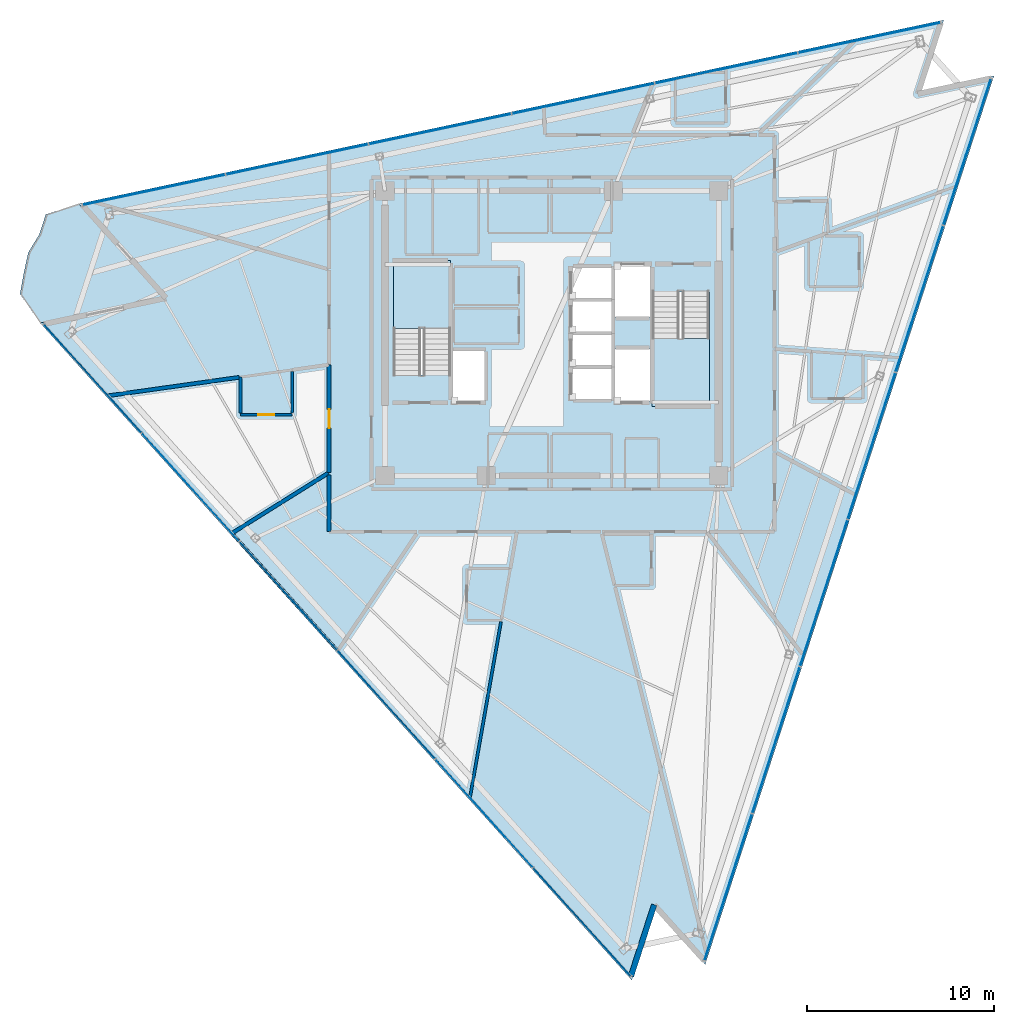
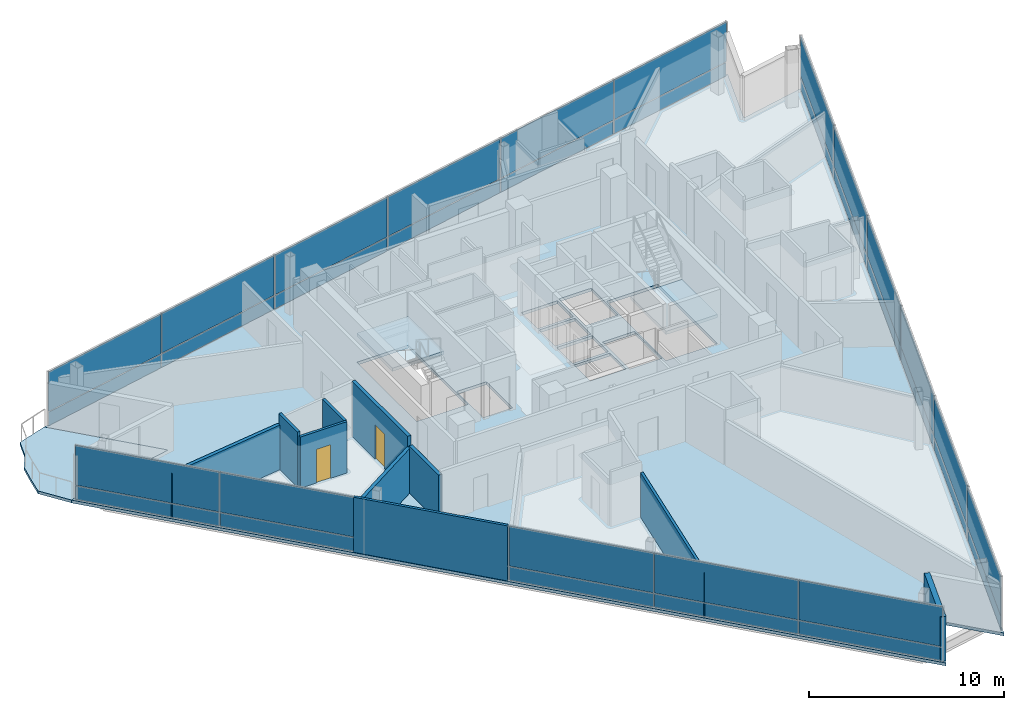
# One storey, part 9 of 17: 36 plates, 10 walls, 4 slabs, 2 doors, 2 openings, 5 elements without a shape of their own.
"""IFC4 building model written with IfcOpenShell, lengths in metres."""

from ifc_helpers import new_model, si_unit, direction, frame, frame_2d, origin, origin_2d, place, context, subcontext, project, spatial, polyline, rectangle, outline, extrude, material, layer, layer_set, type_object, element, fill, aggregate, save


model = new_model("IFC4")

# Units and contexts
model_context = context("Model", 3, precision=1e-05, world=origin(), true_north=direction((0.0, 1.0)))
body_context = subcontext(model_context, "Body", "Model", "MODEL_VIEW")
ifc_project = project(units=[si_unit("LENGTHUNIT", "METRE"), si_unit("AREAUNIT", "SQUARE_METRE"), si_unit("VOLUMEUNIT", "CUBIC_METRE"), si_unit("PLANEANGLEUNIT", "RADIAN"), si_unit("MASSUNIT", "GRAM", prefix="KILO")], contexts=[model_context])

# Site, building, storey
site_placement = place(None, origin())
site = spatial("IfcSite", under=ifc_project, at=site_placement, CompositionType="ELEMENT")
building_placement = place(site_placement, origin())
building = spatial("IfcBuilding", under=site, at=building_placement, Name="Tharavind Bronze Gate", CompositionType="ELEMENT")
storey_placement = place(building_placement, frame((0.0, 0.0, 294.35009765625)))
storey = spatial("IfcBuildingStorey", under=building, at=storey_placement, Name="L76", CompositionType="ELEMENT", Elevation=294.35009765625)

# Curtain wall, plates
ifc_material_1 = material(Name="Anodised Bronze Aluminium", Category="aluminium")
ifc_layer_1 = layer(ifc_material_1, 0.219970703125)
ifc_layer_set_1 = layer_set([ifc_layer_1], Name="Anodised Bronze Aluminium")
curtain_wall_type = type_object("IfcCurtainWallType", Name="UNITISED CURTAIN WALL CROWN", PredefinedType="USERDEFINED", material=ifc_layer_set_1)
curtain_wall_1_placement = place(storey_placement, origin())
curtain_wall_1 = element("IfcCurtainWall", 1, at=curtain_wall_1_placement, inside=storey, type_object=curtain_wall_type, Name="L76 unitised curtain wall crown CW-L76-S1", ObjectType="UNITISED CURTAIN WALL", PredefinedType="USERDEFINED")
ifc_material_2 = material(Name="Patinated Bronze Alloy Sheet", Category="bronze")
ifc_layer_2 = layer(ifc_material_2, 0.01611328125)
ifc_layer_set_2 = layer_set([ifc_layer_2], Name="Patinated Bronze Alloy Sheet")
plate_type_1 = type_object("IfcPlateType", Name="BRONZE SPANDREL CLADDING PANEL 16", PredefinedType="CURTAIN_PANEL", material=ifc_layer_set_2)
plate_1_placement = place(storey_placement, frame((-24.494873046875, -2.404052734375, 0.0263671875), z_axis=(0.0, 0.0, 1.0), x_axis=(0.669130606359, -0.743144825477, 0.0)))
plate_1 = element("IfcPlate", 2, at=plate_1_placement, type_object=plate_type_1, Name="CW-L76-S1 bronze spandrel panel 1", PredefinedType="CURTAIN_PANEL", context=body_context, shape_type="SweptSolid", body=[
    extrude(rectangle(XDim=7.749755859375, YDim=0.01611328125, at=origin_2d()), origin(), (0.0, 0.0, 1.0), 0.846923828125),
])
plate_2_placement = place(storey_placement, frame((-19.273681640625, -8.20263671875, 0.0263671875), z_axis=(0.0, 0.0, 1.0), x_axis=(0.669130606359, -0.743144825477, 0.0)))
plate_2 = element("IfcPlate", 3, at=plate_2_placement, type_object=plate_type_1, Name="CW-L76-S1 bronze spandrel panel 2", PredefinedType="CURTAIN_PANEL", context=body_context, shape_type="SweptSolid", body=[
    extrude(rectangle(XDim=7.749755859375, YDim=0.01611328125, at=origin_2d()), origin(), (0.0, 0.0, 1.0), 0.846923828125),
])
plate_3_placement = place(storey_placement, frame((-14.052734375, -14.001220703125, 0.0263671875), z_axis=(0.0, 0.0, 1.0), x_axis=(0.669130606359, -0.743144825477, 0.0)))
plate_3 = element("IfcPlate", 4, at=plate_3_placement, type_object=plate_type_1, Name="CW-L76-S1 bronze spandrel panel 3", PredefinedType="CURTAIN_PANEL", context=body_context, shape_type="SweptSolid", body=[
    extrude(rectangle(XDim=7.749755859375, YDim=0.01611328125, at=origin_2d()), origin(), (0.0, 0.0, 1.0), 0.846923828125),
])
plate_4_placement = place(storey_placement, frame((-8.831787109375, -19.7998046875, 0.0263671875), z_axis=(0.0, 0.0, 1.0), x_axis=(0.669130606359, -0.743144825477, 0.0)))
plate_4 = element("IfcPlate", 5, at=plate_4_placement, type_object=plate_type_1, Name="CW-L76-S1 bronze spandrel panel 4", PredefinedType="CURTAIN_PANEL", context=body_context, shape_type="SweptSolid", body=[
    extrude(rectangle(XDim=7.749755859375, YDim=0.01611328125, at=origin_2d()), origin(), (0.0, 0.0, 1.0), 0.846923828125),
])
plate_5_placement = place(storey_placement, frame((-3.610595703125, -25.59814453125, 0.0263671875), z_axis=(0.0, 0.0, 1.0), x_axis=(0.669130606359, -0.743144825477, 0.0)))
plate_5 = element("IfcPlate", 6, at=plate_5_placement, type_object=plate_type_1, Name="CW-L76-S1 bronze spandrel panel 5", PredefinedType="CURTAIN_PANEL", context=body_context, shape_type="SweptSolid", body=[
    extrude(rectangle(XDim=7.749755859375, YDim=0.01611328125, at=origin_2d()), origin(), (0.0, 0.0, 1.0), 0.846923828125),
])
plate_6_placement = place(storey_placement, frame((1.6103515625, -31.396728515625, 0.0263671875), z_axis=(0.0, 0.0, 1.0), x_axis=(0.669130606359, -0.743144825477, 0.0)))
plate_6 = element("IfcPlate", 7, at=plate_6_placement, type_object=plate_type_1, Name="CW-L76-S1 bronze spandrel panel 6", PredefinedType="CURTAIN_PANEL", context=body_context, shape_type="SweptSolid", body=[
    extrude(rectangle(XDim=7.749755859375, YDim=0.01611328125, at=origin_2d()), origin(), (0.0, 0.0, 1.0), 0.846923828125),
])

curtain_wall_2_placement = place(storey_placement, origin())
curtain_wall_2 = element("IfcCurtainWall", 8, at=curtain_wall_2_placement, inside=storey, type_object=curtain_wall_type, Name="L76 unitised curtain wall crown CW-L76-S2", ObjectType="UNITISED CURTAIN WALL", PredefinedType="USERDEFINED")
plate_7_placement = place(storey_placement, frame((9.41552734375, -29.54052734375, 0.0263671875), z_axis=(0.0, 0.0, 1.0), x_axis=(0.309016994375, 0.951056516295, 0.0)))
plate_7 = element("IfcPlate", 9, at=plate_7_placement, type_object=plate_type_1, Name="CW-L76-S2 bronze spandrel panel 1", PredefinedType="CURTAIN_PANEL", context=body_context, shape_type="SweptSolid", body=[
    extrude(rectangle(XDim=8.195068359375, YDim=0.01611328125, at=origin_2d()), origin(), (0.0, 0.0, 1.0), 0.846923828125),
])
plate_8_placement = place(storey_placement, frame((11.96435546875, -21.6962890625, 0.0263671875), z_axis=(0.0, 0.0, 1.0), x_axis=(0.309016994375, 0.951056516295, 0.0)))
plate_8 = element("IfcPlate", 10, at=plate_8_placement, type_object=plate_type_1, Name="CW-L76-S2 bronze spandrel panel 2", PredefinedType="CURTAIN_PANEL", context=body_context, shape_type="SweptSolid", body=[
    extrude(rectangle(XDim=8.195068359375, YDim=0.01611328125, at=origin_2d()), origin(), (0.0, 0.0, 1.0), 0.846923828125),
])
plate_9_placement = place(storey_placement, frame((14.51318359375, -13.851806640625, 0.0263671875), z_axis=(0.0, 0.0, 1.0), x_axis=(0.309016994375, 0.951056516295, 0.0)))
plate_9 = element("IfcPlate", 11, at=plate_9_placement, type_object=plate_type_1, Name="CW-L76-S2 bronze spandrel panel 3", PredefinedType="CURTAIN_PANEL", context=body_context, shape_type="SweptSolid", body=[
    extrude(rectangle(XDim=8.195068359375, YDim=0.01611328125, at=origin_2d()), origin(), (0.0, 0.0, 1.0), 0.846923828125),
])
plate_10_placement = place(storey_placement, frame((17.06201171875, -6.007568359375, 0.0263671875), z_axis=(0.0, 0.0, 1.0), x_axis=(0.309016994375, 0.951056516295, 0.0)))
plate_10 = element("IfcPlate", 12, at=plate_10_placement, type_object=plate_type_1, Name="CW-L76-S2 bronze spandrel panel 4", PredefinedType="CURTAIN_PANEL", context=body_context, shape_type="SweptSolid", body=[
    extrude(rectangle(XDim=8.195068359375, YDim=0.01611328125, at=origin_2d()), origin(), (0.0, 0.0, 1.0), 0.846923828125),
])
plate_11_placement = place(storey_placement, frame((19.610595703125, 1.8369140625, 0.0263671875), z_axis=(0.0, 0.0, 1.0), x_axis=(0.309016994375, 0.951056516295, 0.0)))
plate_11 = element("IfcPlate", 13, at=plate_11_placement, type_object=plate_type_1, Name="CW-L76-S2 bronze spandrel panel 5", PredefinedType="CURTAIN_PANEL", context=body_context, shape_type="SweptSolid", body=[
    extrude(rectangle(XDim=8.195068359375, YDim=0.01611328125, at=origin_2d()), origin(), (0.0, 0.0, 1.0), 0.846923828125),
])
plate_12_placement = place(storey_placement, frame((22.159423828125, 9.68115234375, 0.0263671875), z_axis=(0.0, 0.0, 1.0), x_axis=(0.309016994375, 0.951056516295, 0.0)))
plate_12 = element("IfcPlate", 14, at=plate_12_placement, type_object=plate_type_1, Name="CW-L76-S2 bronze spandrel panel 6", PredefinedType="CURTAIN_PANEL", context=body_context, shape_type="SweptSolid", body=[
    extrude(rectangle(XDim=8.195068359375, YDim=0.01611328125, at=origin_2d()), origin(), (0.0, 0.0, 1.0), 0.846923828125),
])

curtain_wall_3_placement = place(storey_placement, origin())
curtain_wall_3 = element("IfcCurtainWall", 15, at=curtain_wall_3_placement, inside=storey, type_object=curtain_wall_type, Name="L76 unitised curtain wall crown CW-L76-S3", ObjectType="UNITISED CURTAIN WALL", PredefinedType="USERDEFINED")
plate_13_placement = place(storey_placement, frame((16.935791015625, 15.770751953125, 0.0263671875), z_axis=(0.0, 0.0, 1.0), x_axis=(-0.978147237858, -0.207913398007, 0.0)))
plate_13 = element("IfcPlate", 16, at=plate_13_placement, type_object=plate_type_1, Name="CW-L76-S3 bronze spandrel panel 1", PredefinedType="CURTAIN_PANEL", context=body_context, shape_type="SweptSolid", body=[
    extrude(rectangle(XDim=7.749755859375, YDim=0.01611328125, at=origin_2d()), origin(), (0.0, 0.0, 1.0), 0.846923828125),
])
plate_14_placement = place(storey_placement, frame((9.3037109375, 14.1484375, 0.0263671875), z_axis=(0.0, 0.0, 1.0), x_axis=(-0.978147237858, -0.207913398007, 0.0)))
plate_14 = element("IfcPlate", 17, at=plate_14_placement, type_object=plate_type_1, Name="CW-L76-S3 bronze spandrel panel 2", PredefinedType="CURTAIN_PANEL", context=body_context, shape_type="SweptSolid", body=[
    extrude(rectangle(XDim=7.749755859375, YDim=0.01611328125, at=origin_2d()), origin(), (0.0, 0.0, 1.0), 0.846923828125),
])
plate_15_placement = place(storey_placement, frame((1.67138671875, 12.526123046875, 0.0263671875), z_axis=(0.0, 0.0, 1.0), x_axis=(-0.978147237858, -0.207913398007, 0.0)))
plate_15 = element("IfcPlate", 18, at=plate_15_placement, type_object=plate_type_1, Name="CW-L76-S3 bronze spandrel panel 3", PredefinedType="CURTAIN_PANEL", context=body_context, shape_type="SweptSolid", body=[
    extrude(rectangle(XDim=7.749755859375, YDim=0.01611328125, at=origin_2d()), origin(), (0.0, 0.0, 1.0), 0.846923828125),
])
plate_16_placement = place(storey_placement, frame((-5.960693359375, 10.90380859375, 0.0263671875), z_axis=(0.0, 0.0, 1.0), x_axis=(-0.978147237858, -0.207913398007, 0.0)))
plate_16 = element("IfcPlate", 19, at=plate_16_placement, type_object=plate_type_1, Name="CW-L76-S3 bronze spandrel panel 4", PredefinedType="CURTAIN_PANEL", context=body_context, shape_type="SweptSolid", body=[
    extrude(rectangle(XDim=7.749755859375, YDim=0.01611328125, at=origin_2d()), origin(), (0.0, 0.0, 1.0), 0.846923828125),
])
plate_17_placement = place(storey_placement, frame((-13.5927734375, 9.281494140625, 0.0263671875), z_axis=(0.0, 0.0, 1.0), x_axis=(-0.978147237858, -0.207913398007, 0.0)))
plate_17 = element("IfcPlate", 20, at=plate_17_placement, type_object=plate_type_1, Name="CW-L76-S3 bronze spandrel panel 5", PredefinedType="CURTAIN_PANEL", context=body_context, shape_type="SweptSolid", body=[
    extrude(rectangle(XDim=7.749755859375, YDim=0.01611328125, at=origin_2d()), origin(), (0.0, 0.0, 1.0), 0.846923828125),
])
plate_18_placement = place(storey_placement, frame((-21.22509765625, 7.6591796875, 0.0263671875), z_axis=(0.0, 0.0, 1.0), x_axis=(-0.978147237858, -0.207913398007, 0.0)))
plate_18 = element("IfcPlate", 21, at=plate_18_placement, type_object=plate_type_1, Name="CW-L76-S3 bronze spandrel panel 6", PredefinedType="CURTAIN_PANEL", context=body_context, shape_type="SweptSolid", body=[
    extrude(rectangle(XDim=7.749755859375, YDim=0.01611328125, at=origin_2d()), origin(), (0.0, 0.0, 1.0), 0.846923828125),
])

# Slab
ifc_material_3 = material(Name="Concrete C40/50", Category="concrete")
ifc_layer_3 = layer(ifc_material_3, 0.175048828125)
ifc_layer_set_3 = layer_set([ifc_layer_3], Name="Concrete C40/50")
slab_type_1 = type_object("IfcSlabType", Name="EXTERIOR BALCONY SLAB 175", PredefinedType="FLOOR", material=ifc_layer_set_3)
slab_1_placement = place(storey_placement, frame((0.0, 0.0, -0.175048828125)))
element("IfcSlab", 22, at=slab_1_placement, inside=storey, type_object=slab_type_1, Name="L76 northeast tree balcony slab", PredefinedType="FLOOR", context=body_context, shape_type="SweptSolid", body=[
    extrude(outline(polyline([(-26.992431640625, 6.34375), (-27.33642578125, 5.284912109375), (-27.927978515625, 4.306396484375), (-28.1650390625, 3.212890625), (-28.36865234375, 2.1083984375), (-27.29541015625, 0.556884765625), (-20.761474609375, 1.94580078125), (-25.231201171875, 6.909912109375), (-26.992431640625, 6.34375)])), origin(), (0.0, 0.0, 1.0), 0.175048828125),
])

# Stair, slab
stair_type = type_object("IfcStairType", Name="CORE HALF TURN STAIR 1450", PredefinedType="HALF_TURN_STAIR", material=ifc_material_3)
stair_1_placement = place(storey_placement, origin())
stair_1 = element("IfcStair", 23, at=stair_1_placement, inside=storey, type_object=stair_type, Name="L76 Protected Exit Stair ST1", PredefinedType="HALF_TURN_STAIR")
ifc_layer_4 = layer(ifc_material_3, 0.199951171875)
ifc_layer_set_4 = layer_set([ifc_layer_4], Name="Concrete C40/50")
slab_type_2 = type_object("IfcSlabType", Name="STAIR LANDING SLAB 200", PredefinedType="LANDING", material=ifc_layer_set_4)
slab_2_placement = place(storey_placement, frame((0.0, 0.0, 1.625)))
slab_2 = element("IfcSlab", 24, at=slab_2_placement, type_object=slab_type_2, Name="ST1 landing 1", PredefinedType="LANDING", context=body_context, shape_type="SweptSolid", body=[
    extrude(outline(polyline([(-5.39990234375, 0.27001953125), (-5.39990234375, 3.89990234375), (-8.449951171875, 3.89990234375), (-8.449951171875, 0.27001953125), (-5.39990234375, 0.27001953125)])), origin(), (0.0, 0.0, 1.0), 0.199951171875),
])
aggregate(stair_1, [slab_2])

stair_2_placement = place(storey_placement, origin())
stair_2 = element("IfcStair", 25, at=stair_2_placement, inside=storey, type_object=stair_type, Name="L76 Protected Exit Stair ST2", PredefinedType="HALF_TURN_STAIR")
slab_3_placement = place(storey_placement, frame((0.0, 0.0, 1.625)))
slab_3 = element("IfcSlab", 26, at=slab_3_placement, type_object=slab_type_2, Name="ST2 landing 1", PredefinedType="LANDING", context=body_context, shape_type="SweptSolid", body=[
    extrude(outline(polyline([(5.35009765625, -0.27001953125), (5.35009765625, -3.89990234375), (8.39990234375, -3.89990234375), (8.39990234375, -0.27001953125), (5.35009765625, -0.27001953125)])), origin(), (0.0, 0.0, 1.0), 0.199951171875),
])
aggregate(stair_2, [slab_3])

# Slab
ifc_layer_5 = layer(ifc_material_3, 0.18505859375)
ifc_layer_set_5 = layer_set([ifc_layer_5], Name="Concrete C40/50")
slab_type_3 = type_object("IfcSlabType", Name="STRUCTURAL FLOOR SLAB 185", PredefinedType="FLOOR", material=ifc_layer_set_5)
slab_4_placement = place(storey_placement, frame((0.0, 0.0, -0.18505859375)))
element("IfcSlab", 27, at=slab_4_placement, inside=storey, type_object=slab_type_3, Name="L76 main structural floor slab", PredefinedType="FLOOR", context=body_context, shape_type="SweptSolid", body=[
    extrude(outline(polyline([(-25.231201171875, 6.909912109375), (-20.761474609375, 1.94580078125), (-27.29541015625, 0.556884765625), (4.262451171875, -34.49169921875), (5.5009765625, -30.6796875), (8.182861328125, -33.658203125), (23.58251953125, 13.737060546875), (19.662109375, 12.90380859375), (20.900634765625, 16.7158203125), (-25.231201171875, 6.909912109375)]), holes=[polyline([(-5.39990234375, -2.215087890625), (-5.39990234375, 3.89990234375), (-8.449951171875, 3.89990234375), (-8.449951171875, -2.215087890625), (-5.39990234375, -2.215087890625)]), polyline([(5.35009765625, 2.215087890625), (5.35009765625, -3.89990234375), (8.39990234375, -3.89990234375), (8.39990234375, 2.215087890625), (5.35009765625, 2.215087890625)]), polyline([(1.080078125, -3.52001953125), (3.199951171875, -3.52001953125), (3.199951171875, -1.8798828125), (1.080078125, -1.8798828125), (1.080078125, -3.52001953125)]), polyline([(1.080078125, -1.719970703125), (3.199951171875, -1.719970703125), (3.199951171875, -0.080078125), (1.080078125, -0.080078125), (1.080078125, -1.719970703125)]), polyline([(1.080078125, 0.080078125), (3.199951171875, 0.080078125), (3.199951171875, 1.719970703125), (1.080078125, 1.719970703125), (1.080078125, 0.080078125)]), polyline([(1.080078125, 1.8798828125), (3.199951171875, 1.8798828125), (3.199951171875, 3.52001953125), (1.080078125, 3.52001953125), (1.080078125, 1.8798828125)]), polyline([(-5.320068359375, -3.6201171875), (-3.580078125, -3.6201171875), (-3.580078125, -0.929931640625), (-5.320068359375, -0.929931640625), (-5.320068359375, -3.6201171875)]), polyline([(3.360107421875, 0.8798828125), (5.27001953125, 0.8798828125), (5.27001953125, 3.6201171875), (3.360107421875, 3.6201171875), (3.360107421875, 0.8798828125)]), polyline([(3.360107421875, -3.6201171875), (5.27001953125, -3.6201171875), (5.27001953125, -0.830078125), (3.360107421875, -0.830078125), (3.360107421875, -3.6201171875)])]), origin(), (0.0, 0.0, 1.0), 0.18505859375),
])

# Plate
ifc_material_4 = material(Name="Triple Solar Control Glazing", Category="glass")
ifc_layer_6 = layer(ifc_material_4, 0.0439453125)
ifc_layer_set_6 = layer_set([ifc_layer_6], Name="Triple Solar Control Glazing")
plate_type_2 = type_object("IfcPlateType", Name="TRIPLE GLAZED FACADE PANEL 44", PredefinedType="CURTAIN_PANEL", material=ifc_layer_set_6)
plate_19_placement = place(storey_placement, frame((-24.494873046875, -2.404052734375, 0.92626953125), z_axis=(0.0, 0.0, 1.0), x_axis=(0.669130606359, -0.743144825477, 0.0)))
plate_19 = element("IfcPlate", 28, at=plate_19_placement, type_object=plate_type_2, Name="CW-L76-S1 vision glazing panel 1", PredefinedType="CURTAIN_PANEL", context=body_context, shape_type="SweptSolid", body=[
    extrude(rectangle(XDim=7.749755859375, YDim=0.0439453125, at=origin_2d()), origin(), (0.0, 0.0, 1.0), 2.4970703125),
])

plate_20_placement = place(storey_placement, frame((-19.273681640625, -8.20263671875, 0.92626953125), z_axis=(0.0, 0.0, 1.0), x_axis=(0.669130606359, -0.743144825477, 0.0)))
plate_20 = element("IfcPlate", 29, at=plate_20_placement, type_object=plate_type_2, Name="CW-L76-S1 vision glazing panel 2", PredefinedType="CURTAIN_PANEL", context=body_context, shape_type="SweptSolid", body=[
    extrude(rectangle(XDim=7.749755859375, YDim=0.0439453125, at=origin_2d()), origin(), (0.0, 0.0, 1.0), 2.4970703125),
])

plate_21_placement = place(storey_placement, frame((-14.052734375, -14.001220703125, 0.92626953125), z_axis=(0.0, 0.0, 1.0), x_axis=(0.669130606359, -0.743144825477, 0.0)))
plate_21 = element("IfcPlate", 30, at=plate_21_placement, type_object=plate_type_2, Name="CW-L76-S1 vision glazing panel 3", PredefinedType="CURTAIN_PANEL", context=body_context, shape_type="SweptSolid", body=[
    extrude(rectangle(XDim=7.749755859375, YDim=0.0439453125, at=origin_2d()), origin(), (0.0, 0.0, 1.0), 2.4970703125),
])

plate_22_placement = place(storey_placement, frame((-8.831787109375, -19.7998046875, 0.92626953125), z_axis=(0.0, 0.0, 1.0), x_axis=(0.669130606359, -0.743144825477, 0.0)))
plate_22 = element("IfcPlate", 31, at=plate_22_placement, type_object=plate_type_2, Name="CW-L76-S1 vision glazing panel 4", PredefinedType="CURTAIN_PANEL", context=body_context, shape_type="SweptSolid", body=[
    extrude(rectangle(XDim=7.749755859375, YDim=0.0439453125, at=origin_2d()), origin(), (0.0, 0.0, 1.0), 2.4970703125),
])

plate_23_placement = place(storey_placement, frame((-3.610595703125, -25.59814453125, 0.92626953125), z_axis=(0.0, 0.0, 1.0), x_axis=(0.669130606359, -0.743144825477, 0.0)))
plate_23 = element("IfcPlate", 32, at=plate_23_placement, type_object=plate_type_2, Name="CW-L76-S1 vision glazing panel 5", PredefinedType="CURTAIN_PANEL", context=body_context, shape_type="SweptSolid", body=[
    extrude(rectangle(XDim=7.749755859375, YDim=0.0439453125, at=origin_2d()), origin(), (0.0, 0.0, 1.0), 2.4970703125),
])

plate_24_placement = place(storey_placement, frame((1.6103515625, -31.396728515625, 0.92626953125), z_axis=(0.0, 0.0, 1.0), x_axis=(0.669130606359, -0.743144825477, 0.0)))
plate_24 = element("IfcPlate", 33, at=plate_24_placement, type_object=plate_type_2, Name="CW-L76-S1 vision glazing panel 6", PredefinedType="CURTAIN_PANEL", context=body_context, shape_type="SweptSolid", body=[
    extrude(rectangle(XDim=7.749755859375, YDim=0.0439453125, at=origin_2d()), origin(), (0.0, 0.0, 1.0), 2.4970703125),
])

aggregate(curtain_wall_1, [plate_1, plate_19, plate_2, plate_20, plate_3, plate_21, plate_4, plate_22, plate_5, plate_23, plate_6, plate_24])

plate_25_placement = place(storey_placement, frame((9.41552734375, -29.54052734375, 0.92626953125), z_axis=(0.0, 0.0, 1.0), x_axis=(0.309016994375, 0.951056516295, 0.0)))
plate_25 = element("IfcPlate", 34, at=plate_25_placement, type_object=plate_type_2, Name="CW-L76-S2 vision glazing panel 1", PredefinedType="CURTAIN_PANEL", context=body_context, shape_type="SweptSolid", body=[
    extrude(rectangle(XDim=8.195068359375, YDim=0.0439453125, at=origin_2d()), origin(), (0.0, 0.0, 1.0), 2.4970703125),
])

plate_26_placement = place(storey_placement, frame((11.96435546875, -21.6962890625, 0.92626953125), z_axis=(0.0, 0.0, 1.0), x_axis=(0.309016994375, 0.951056516295, 0.0)))
plate_26 = element("IfcPlate", 35, at=plate_26_placement, type_object=plate_type_2, Name="CW-L76-S2 vision glazing panel 2", PredefinedType="CURTAIN_PANEL", context=body_context, shape_type="SweptSolid", body=[
    extrude(rectangle(XDim=8.195068359375, YDim=0.0439453125, at=origin_2d()), origin(), (0.0, 0.0, 1.0), 2.4970703125),
])

plate_27_placement = place(storey_placement, frame((14.51318359375, -13.851806640625, 0.92626953125), z_axis=(0.0, 0.0, 1.0), x_axis=(0.309016994375, 0.951056516295, 0.0)))
plate_27 = element("IfcPlate", 36, at=plate_27_placement, type_object=plate_type_2, Name="CW-L76-S2 vision glazing panel 3", PredefinedType="CURTAIN_PANEL", context=body_context, shape_type="SweptSolid", body=[
    extrude(rectangle(XDim=8.195068359375, YDim=0.0439453125, at=origin_2d()), origin(), (0.0, 0.0, 1.0), 2.4970703125),
])

plate_28_placement = place(storey_placement, frame((17.06201171875, -6.007568359375, 0.92626953125), z_axis=(0.0, 0.0, 1.0), x_axis=(0.309016994375, 0.951056516295, 0.0)))
plate_28 = element("IfcPlate", 37, at=plate_28_placement, type_object=plate_type_2, Name="CW-L76-S2 vision glazing panel 4", PredefinedType="CURTAIN_PANEL", context=body_context, shape_type="SweptSolid", body=[
    extrude(rectangle(XDim=8.195068359375, YDim=0.0439453125, at=origin_2d()), origin(), (0.0, 0.0, 1.0), 2.4970703125),
])

plate_29_placement = place(storey_placement, frame((19.610595703125, 1.8369140625, 0.92626953125), z_axis=(0.0, 0.0, 1.0), x_axis=(0.309016994375, 0.951056516295, 0.0)))
plate_29 = element("IfcPlate", 38, at=plate_29_placement, type_object=plate_type_2, Name="CW-L76-S2 vision glazing panel 5", PredefinedType="CURTAIN_PANEL", context=body_context, shape_type="SweptSolid", body=[
    extrude(rectangle(XDim=8.195068359375, YDim=0.0439453125, at=origin_2d()), origin(), (0.0, 0.0, 1.0), 2.4970703125),
])

plate_30_placement = place(storey_placement, frame((22.159423828125, 9.68115234375, 0.92626953125), z_axis=(0.0, 0.0, 1.0), x_axis=(0.309016994375, 0.951056516295, 0.0)))
plate_30 = element("IfcPlate", 39, at=plate_30_placement, type_object=plate_type_2, Name="CW-L76-S2 vision glazing panel 6", PredefinedType="CURTAIN_PANEL", context=body_context, shape_type="SweptSolid", body=[
    extrude(rectangle(XDim=8.195068359375, YDim=0.0439453125, at=origin_2d()), origin(), (0.0, 0.0, 1.0), 2.4970703125),
])

aggregate(curtain_wall_2, [plate_7, plate_25, plate_8, plate_26, plate_9, plate_27, plate_10, plate_28, plate_11, plate_29, plate_12, plate_30])

plate_31_placement = place(storey_placement, frame((16.935791015625, 15.770751953125, 0.92626953125), z_axis=(0.0, 0.0, 1.0), x_axis=(-0.978147237858, -0.207913398007, 0.0)))
plate_31 = element("IfcPlate", 40, at=plate_31_placement, type_object=plate_type_2, Name="CW-L76-S3 vision glazing panel 1", PredefinedType="CURTAIN_PANEL", context=body_context, shape_type="SweptSolid", body=[
    extrude(rectangle(XDim=7.749755859375, YDim=0.0439453125, at=origin_2d()), origin(), (0.0, 0.0, 1.0), 2.4970703125),
])

plate_32_placement = place(storey_placement, frame((9.3037109375, 14.1484375, 0.92626953125), z_axis=(0.0, 0.0, 1.0), x_axis=(-0.978147237858, -0.207913398007, 0.0)))
plate_32 = element("IfcPlate", 41, at=plate_32_placement, type_object=plate_type_2, Name="CW-L76-S3 vision glazing panel 2", PredefinedType="CURTAIN_PANEL", context=body_context, shape_type="SweptSolid", body=[
    extrude(rectangle(XDim=7.749755859375, YDim=0.0439453125, at=origin_2d()), origin(), (0.0, 0.0, 1.0), 2.4970703125),
])

plate_33_placement = place(storey_placement, frame((1.67138671875, 12.526123046875, 0.92626953125), z_axis=(0.0, 0.0, 1.0), x_axis=(-0.978147237858, -0.207913398007, 0.0)))
plate_33 = element("IfcPlate", 42, at=plate_33_placement, type_object=plate_type_2, Name="CW-L76-S3 vision glazing panel 3", PredefinedType="CURTAIN_PANEL", context=body_context, shape_type="SweptSolid", body=[
    extrude(rectangle(XDim=7.749755859375, YDim=0.0439453125, at=origin_2d()), origin(), (0.0, 0.0, 1.0), 2.4970703125),
])

plate_34_placement = place(storey_placement, frame((-5.960693359375, 10.90380859375, 0.92626953125), z_axis=(0.0, 0.0, 1.0), x_axis=(-0.978147237858, -0.207913398007, 0.0)))
plate_34 = element("IfcPlate", 43, at=plate_34_placement, type_object=plate_type_2, Name="CW-L76-S3 vision glazing panel 4", PredefinedType="CURTAIN_PANEL", context=body_context, shape_type="SweptSolid", body=[
    extrude(rectangle(XDim=7.749755859375, YDim=0.0439453125, at=origin_2d()), origin(), (0.0, 0.0, 1.0), 2.4970703125),
])

plate_35_placement = place(storey_placement, frame((-13.5927734375, 9.281494140625, 0.92626953125), z_axis=(0.0, 0.0, 1.0), x_axis=(-0.978147237858, -0.207913398007, 0.0)))
plate_35 = element("IfcPlate", 44, at=plate_35_placement, type_object=plate_type_2, Name="CW-L76-S3 vision glazing panel 5", PredefinedType="CURTAIN_PANEL", context=body_context, shape_type="SweptSolid", body=[
    extrude(rectangle(XDim=7.749755859375, YDim=0.0439453125, at=origin_2d()), origin(), (0.0, 0.0, 1.0), 2.4970703125),
])

plate_36_placement = place(storey_placement, frame((-21.22509765625, 7.6591796875, 0.92626953125), z_axis=(0.0, 0.0, 1.0), x_axis=(-0.978147237858, -0.207913398007, 0.0)))
plate_36 = element("IfcPlate", 45, at=plate_36_placement, type_object=plate_type_2, Name="CW-L76-S3 vision glazing panel 6", PredefinedType="CURTAIN_PANEL", context=body_context, shape_type="SweptSolid", body=[
    extrude(rectangle(XDim=7.749755859375, YDim=0.0439453125, at=origin_2d()), origin(), (0.0, 0.0, 1.0), 2.4970703125),
])

aggregate(curtain_wall_3, [plate_13, plate_31, plate_14, plate_32, plate_15, plate_33, plate_16, plate_34, plate_17, plate_35, plate_18, plate_36])

# Walls
ifc_layer_7 = layer(ifc_material_3, 0.300048828125)
ifc_layer_set_7 = layer_set([ifc_layer_7], Name="Concrete C40/50")
wall_type_1 = type_object("IfcWallType", Name="EXTERIOR SPANDREL WALL 300", PredefinedType="STANDARD", material=ifc_layer_set_7)
wall_1_placement = place(storey_placement, frame((4.220703125, -34.2958984375, 0.0), z_axis=(0.0, 0.0, 1.0), x_axis=(0.309018580232, 0.951056001018, 0.0)))
element("IfcWall", 46, at=wall_1_placement, inside=storey, type_object=wall_type_1, Name="L76 notch cheek wall 2A", PredefinedType="STANDARD", context=body_context, shape_type="SweptSolid", body=[
    extrude(rectangle(XDim=4.0078125, YDim=0.300048828125, at=frame_2d((2.00390625, 0.0))), origin(), (0.0, 0.0, 1.0), 2.794921875),
])
ifc_material_5 = material(Name="Aerated Concrete Block", Category="concrete")
ifc_layer_8 = layer(ifc_material_5, 0.199951171875)
ifc_layer_set_8 = layer_set([ifc_layer_8], Name="Aerated Concrete Block")
wall_type_2 = type_object("IfcWallType", Name="FIRE RATED PARTITION 200", PredefinedType="PARTITIONING", material=ifc_layer_set_8)
wall_2_placement = place(storey_placement, frame((-17.035400390625, -10.644775390625, 0.0), z_axis=(0.0, 0.0, 1.0), x_axis=(0.848052853046, 0.529911651543, 0.0)))
element("IfcWall", 47, at=wall_2_placement, inside=storey, type_object=wall_type_2, Name="L76 Public Restrooms Block partition", PredefinedType="PARTITIONING", context=body_context, shape_type="SweptSolid", body=[
    extrude(rectangle(XDim=6.033935546875, YDim=0.199951171875, at=frame_2d((3.01708984375, 0.0))), origin(), (0.0, 0.0, 1.0), 2.794921875),
])
wall_3_placement = place(storey_placement, frame((-11.8798828125, -7.547119140625, 0.0), z_axis=(0.0, 0.0, 1.0), x_axis=(0.0, -1.0, 0.0)))
element("IfcWall", 48, at=wall_3_placement, inside=storey, type_object=wall_type_2, Name="L76 Public Restrooms Block partition", PredefinedType="PARTITIONING", context=body_context, shape_type="SweptSolid", body=[
    extrude(rectangle(XDim=3.0322265625, YDim=0.199951171875, at=frame_2d((1.51611328125, 0.0))), origin(), (0.0, 0.0, 1.0), 2.94482421875),
])
wall_4_placement = place(storey_placement, frame((-16.679931640625, -2.34423828125, 0.0), z_axis=(0.0, 0.0, 1.0), x_axis=(-0.990269426377, -0.13916344054, 0.0)))
element("IfcWall", 49, at=wall_4_placement, inside=storey, type_object=wall_type_2, Name="L76 Hotel Guest Lounge partition", PredefinedType="PARTITIONING", context=body_context, shape_type="SweptSolid", body=[
    extrude(rectangle(XDim=7.040283203125, YDim=0.199951171875, at=frame_2d((3.52001953125, 0.0))), origin(), (0.0, 0.0, 1.0), 2.794921875),
])

# Wall, opening, door
wall_5_placement = place(storey_placement, frame((-11.8798828125, -1.698486328125, 0.0), z_axis=(0.0, 0.0, 1.0), x_axis=(0.0, -1.0, 0.0)))
wall_5 = element("IfcWall", 50, at=wall_5_placement, inside=storey, type_object=wall_type_2, Name="L76 Corner Hotel Suite partition", PredefinedType="PARTITIONING", context=body_context, shape_type="SweptSolid", body=[
    extrude(rectangle(XDim=5.711181640625, YDim=0.199951171875, at=frame_2d((2.85546875, 0.0))), origin(), (0.0, 0.0, 1.0), 3.449951171875),
])
opening_1_placement = place(wall_5_placement, frame((2.35595703125, 0.0, 0.0)))
opening_1 = element("IfcOpeningElement", 51, at=opening_1_placement, cuts=wall_5, Name="Opening ID03", PredefinedType="OPENING", context=body_context, shape_type="SweptSolid", body=[
    extrude(rectangle(XDim=1.0, YDim=2.14990234375, at=frame_2d((0.5, 1.074951171875))), frame((0.0, 0.11009765625, 0.0), z_axis=(0.0, -1.0, 0.0), x_axis=(1.0, 0.0, 0.0)), (0.0, 0.0, 1.0), 0.219951171875),
])
ifc_material_6 = material(Name="Solid Timber Veneer", Category="wood")
door_type_1 = type_object("IfcDoorType", Name="HOTEL SUITE ENTRANCE DOOR 1000X2150", OperationType="SINGLE_SWING_LEFT", PredefinedType="DOOR", material=ifc_material_6)
door_1_placement = place(opening_1_placement, origin())
door_1 = element("IfcDoor", 52, at=door_1_placement, inside=storey, type_object=door_type_1, Name="L76 Corner Hotel Suite door", OperationType="SINGLE_SWING_LEFT", OverallHeight=2.14990234375, OverallWidth=1.0, PredefinedType="DOOR", context=body_context, shape_type="SweptSolid", body=[
    extrude(rectangle(XDim=1.0, YDim=2.14990234375, at=frame_2d((0.5, 1.074951171875))), frame((0.0, 0.02490234375, 0.0), z_axis=(0.0, -1.0, 0.0), x_axis=(1.0, 0.0, 0.0)), (0.0, 0.0, 1.0), 0.050048828125),
])
fill(opening_1, door_1)

ifc_material_7 = material(Name="Twin Stud Acoustic Gypsum", Category="gypsum")
ifc_layer_9 = layer(ifc_material_7, 0.14990234375)
ifc_layer_set_9 = layer_set([ifc_layer_9], Name="Twin Stud Acoustic Gypsum")
wall_type_3 = type_object("IfcWallType", Name="INTERIOR PARTITION WALL 150", PredefinedType="PARTITIONING", material=ifc_layer_set_9)
wall_6_placement = place(storey_placement, frame((-13.85009765625, -4.33642578125, 0.0), z_axis=(0.0, 0.0, 1.0), x_axis=(-1.0, 0.0, 0.0)))
wall_6 = element("IfcWall", 53, at=wall_6_placement, inside=storey, type_object=wall_type_3, Name="L76 En-Suite Bathroom partition", PredefinedType="PARTITIONING", context=body_context, shape_type="SweptSolid", body=[
    extrude(rectangle(XDim=2.75, YDim=0.14990234375, at=frame_2d((1.375, 0.0))), origin(), (0.0, 0.0, 1.0), 3.204833984375),
])
opening_2_placement = place(wall_6_placement, frame((0.949951171875, 0.0, 0.0)))
opening_2 = element("IfcOpeningElement", 54, at=opening_2_placement, cuts=wall_6, Name="Opening ID06", PredefinedType="OPENING", context=body_context, shape_type="SweptSolid", body=[
    extrude(rectangle(XDim=0.85009765625, YDim=2.10009765625, at=frame_2d((0.425048828125, 1.050048828125))), frame((0.0, 0.084951171875, 0.0), z_axis=(0.0, -1.0, 0.0), x_axis=(1.0, 0.0, 0.0)), (0.0, 0.0, 1.0), 0.16990234375),
])
ifc_material_8 = material(Name="Moisture-Resistant Timber", Category="wood")
door_type_2 = type_object("IfcDoorType", Name="BATHROOM PRIVACY DOOR 850X2100", OperationType="SINGLE_SWING_RIGHT", PredefinedType="DOOR", material=ifc_material_8)
door_2_placement = place(opening_2_placement, origin())
door_2 = element("IfcDoor", 55, at=door_2_placement, inside=storey, type_object=door_type_2, Name="L76 En-Suite Bathroom door", OperationType="SINGLE_SWING_RIGHT", OverallHeight=2.10009765625, OverallWidth=0.85009765625, PredefinedType="DOOR", context=body_context, shape_type="SweptSolid", body=[
    extrude(rectangle(XDim=0.85009765625, YDim=2.10009765625, at=frame_2d((0.425048828125, 1.050048828125))), frame((0.0, 0.02490234375, 0.0), z_axis=(0.0, -1.0, 0.0), x_axis=(1.0, 0.0, 0.0)), (0.0, 0.0, 1.0), 0.050048828125),
])
fill(opening_2, door_2)

# Walls
wall_7_placement = place(storey_placement, frame((-16.60009765625, -4.256591796875, 0.0), z_axis=(0.0, 0.0, 1.0), x_axis=(0.0, 1.0, 0.0)))
element("IfcWall", 56, at=wall_7_placement, inside=storey, type_object=wall_type_3, Name="L76 En-Suite Bathroom partition", PredefinedType="PARTITIONING", context=body_context, shape_type="SweptSolid", body=[
    extrude(rectangle(XDim=1.923583984375, YDim=0.14990234375, at=frame_2d((0.9619140625, 0.0))), origin(), (0.0, 0.0, 1.0), 3.449951171875),
])
wall_8_placement = place(storey_placement, frame((-13.85009765625, -2.02734375, 0.0), z_axis=(0.0, 0.0, 1.0), x_axis=(0.0, -1.0, 0.0)))
element("IfcWall", 57, at=wall_8_placement, inside=storey, type_object=wall_type_3, Name="L76 En-Suite Bathroom partition", PredefinedType="PARTITIONING", context=body_context, shape_type="SweptSolid", body=[
    extrude(rectangle(XDim=2.229248046875, YDim=0.14990234375, at=frame_2d((1.11474609375, 0.0))), origin(), (0.0, 0.0, 1.0), 3.204833984375),
])
wall_9_placement = place(storey_placement, frame((-11.490234375, -16.84716796875, 0.0), z_axis=(0.0, 0.0, 1.0), x_axis=(-0.669125702068, 0.743149241291, 0.0)))
element("IfcWall", 58, at=wall_9_placement, inside=storey, type_object=wall_type_3, Name="L76 Public Restrooms Block partition", PredefinedType="PARTITIONING", context=body_context, shape_type="SweptSolid", body=[
    extrude(rectangle(XDim=8.294921875, YDim=0.14990234375, at=frame_2d((4.1474609375, 0.0))), origin(), (0.0, 0.0, 1.0), 3.449951171875),
])
wall_10_placement = place(storey_placement, frame((-2.7119140625, -15.3798828125, 0.0), z_axis=(0.0, 0.0, 1.0), x_axis=(-0.173640563607, -0.984809095546, 0.0)))
element("IfcWall", 59, at=wall_10_placement, inside=storey, type_object=wall_type_3, Name="L76 Hotel Guest Room partition", PredefinedType="PARTITIONING", context=body_context, shape_type="SweptSolid", body=[
    extrude(rectangle(XDim=9.5244140625, YDim=0.14990234375, at=frame_2d((4.76220703125, 0.0))), origin(), (0.0, 0.0, 1.0), 2.794921875),
])

save(model, "model.ifc")
